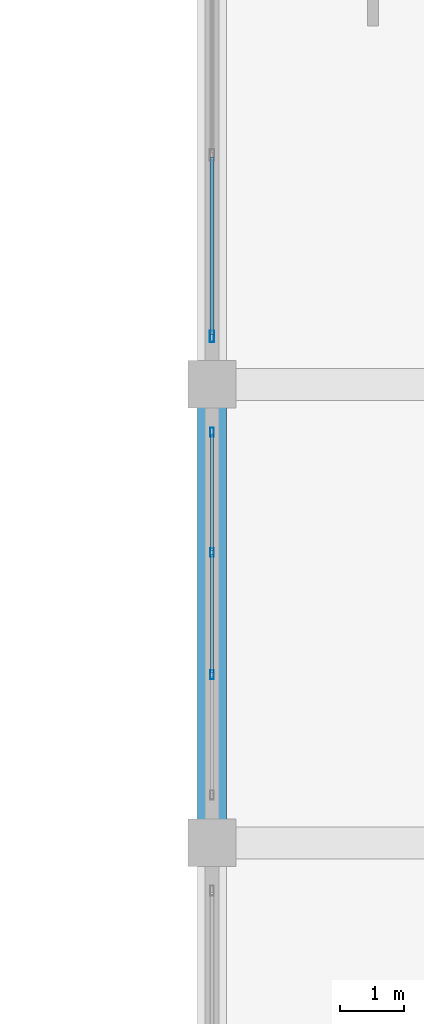
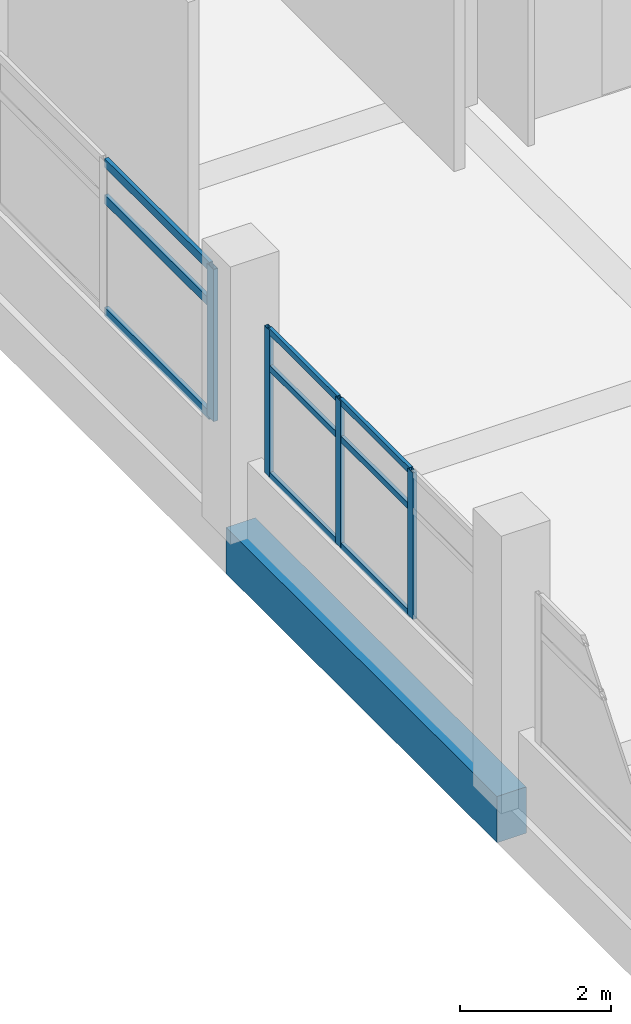
# One storey, part 48 of 141: 13 members, 1 beam, 2 elements without a shape of their own.
"""IFC4 building model written with IfcOpenShell, lengths in metres."""

from ifc_helpers import new_model, si_unit, direction, frame, origin, origin_2d, place, context, subcontext, project, spatial, rectangle, hollow_rectangle, extrude, material, layer, layer_set, material_profile, profile_set, type_object, element, aggregate, save


model = new_model("IFC4")

# Units and contexts
model_context = context("Model", 3, precision=1e-05, world=origin(), true_north=direction((0.0, 1.0)))
body_context = subcontext(model_context, "Body", "Model", "MODEL_VIEW")
ifc_project = project(units=[si_unit("LENGTHUNIT", "METRE"), si_unit("AREAUNIT", "SQUARE_METRE"), si_unit("VOLUMEUNIT", "CUBIC_METRE"), si_unit("PLANEANGLEUNIT", "RADIAN"), si_unit("MASSUNIT", "GRAM", prefix="KILO")], contexts=[model_context])

# Site, building, storey
site_placement = place(None, origin())
site = spatial("IfcSite", under=ifc_project, at=site_placement, CompositionType="ELEMENT")
building_placement = place(site_placement, origin())
building = spatial("IfcBuilding", under=site, at=building_placement, Name="Seraya Terrace Polytechnic", CompositionType="ELEMENT")
storey_placement = place(building_placement, frame((0.0, 0.0, 14.39990234375)))
storey = spatial("IfcBuildingStorey", under=building, at=storey_placement, Name="L03", CompositionType="ELEMENT", Elevation=14.39990234375)

# Beam
ifc_material_1 = material(Name="Concrete C40/50", Category="concrete")
ifc_material_profile_1 = material_profile(ifc_material_1, rectangle(XDim=0.449951171875, YDim=0.75, at=origin_2d()), Name="RC 450x750")
ifc_profile_set_1 = profile_set([ifc_material_profile_1], Name="Concrete C40/50")
beam_type = type_object("IfcBeamType", Name="BM-08", PredefinedType="BEAM", material=ifc_profile_set_1)
beam_placement = place(storey_placement, frame((79.199951171875, 43.199951171875, -0.375), z_axis=(0.0, 1.0, 0.0), x_axis=(-1.0, 0.0, 0.0)))
element("IfcBeam", 1, at=beam_placement, inside=storey, type_object=beam_type, Name="Beam BM-08 L03 Y (79.2, 43.2..50.4)", PredefinedType="BEAM", context=body_context, shape_type="SweptSolid", body=[
    extrude(rectangle(XDim=0.449951171875, YDim=0.75, at=origin_2d()), origin(), (0.0, 0.0, 1.0), 7.199951171875),
])

# Curtain wall, member
ifc_material_2 = material(Name="Anodised aluminium EN AW-6063 T6", Category="aluminium")
ifc_layer_1 = layer(ifc_material_2, 0.179931640625, Name="CW-31")
ifc_layer_set_1 = layer_set([ifc_layer_1], Name="Anodised aluminium EN AW-6063 T6")
curtain_wall_type_1 = type_object("IfcCurtainWallType", Name="CW-31", PredefinedType="NOTDEFINED", material=ifc_layer_set_1)
curtain_wall_1_placement = place(storey_placement, origin())
curtain_wall_1 = element("IfcCurtainWall", 2, at=curtain_wall_1_placement, inside=storey, type_object=curtain_wall_type_1, Name="Unitised curtain wall CW-31 (CW-L03-139)", PredefinedType="NOTDEFINED")
ifc_material_profile_2 = material_profile(ifc_material_2, hollow_rectangle(XDim=0.06494140625, YDim=0.179931640625, WallThickness=0.00390625, at=origin_2d()), Name="RHS 180x65x4.0")
ifc_profile_set_2 = profile_set([ifc_material_profile_2], Name="Anodised aluminium EN AW-6063 T6")
member_type_1 = type_object("IfcMemberType", Name="CWM-01", PredefinedType="MULLION", material=ifc_profile_set_2)
member_1_placement = place(storey_placement, frame((79.199951171875, 51.152587890625, 1.239990234375), z_axis=(0.0, 0.0, 1.0), x_axis=(-1.0, 0.0, 0.0)))
member_1 = element("IfcMember", 3, at=member_1_placement, type_object=member_type_1, Name="CW-31 mullion 1", PredefinedType="MULLION", context=body_context, shape_type="SweptSolid", body=[
    extrude(hollow_rectangle(XDim=0.06494140625, YDim=0.179931640625, WallThickness=0.00390625, at=origin_2d()), origin(), (0.0, 0.0, 1.0), 2.47021484375),
])

# Curtain wall, members
ifc_layer_2 = layer(ifc_material_2, 0.179931640625, Name="CW-30")
ifc_layer_set_2 = layer_set([ifc_layer_2], Name="Anodised aluminium EN AW-6063 T6")
curtain_wall_type_2 = type_object("IfcCurtainWallType", Name="CW-30", PredefinedType="NOTDEFINED", material=ifc_layer_set_2)
curtain_wall_2_placement = place(storey_placement, origin())
curtain_wall_2 = element("IfcCurtainWall", 4, at=curtain_wall_2_placement, inside=storey, type_object=curtain_wall_type_2, Name="Unitised curtain wall CW-30 (CW-L03-138)", PredefinedType="NOTDEFINED")
ifc_material_profile_3 = material_profile(ifc_material_2, hollow_rectangle(XDim=0.06005859375, YDim=0.139892578125, WallThickness=0.00341796875, at=origin_2d()), Name="RHS 140x60x3.5")
ifc_profile_set_3 = profile_set([ifc_material_profile_3], Name="Anodised aluminium EN AW-6063 T6")
member_type_2 = type_object("IfcMemberType", Name="CWM-03", PredefinedType="MULLION", material=ifc_profile_set_3)
member_2_placement = place(storey_placement, frame((79.199951171875, 45.840087890625, 1.239990234375), z_axis=(0.0, 0.0, 1.0), x_axis=(-1.0, 0.0, 0.0)))
member_2 = element("IfcMember", 5, at=member_2_placement, type_object=member_type_2, Name="CW-30 mullion 2", PredefinedType="MULLION", context=body_context, shape_type="SweptSolid", body=[
    extrude(hollow_rectangle(XDim=0.06005859375, YDim=0.139892578125, WallThickness=0.00341796875, at=origin_2d()), origin(), (0.0, 0.0, 1.0), 2.380126953125),
])
member_3_placement = place(storey_placement, frame((79.199951171875, 47.760009765625, 1.239990234375), z_axis=(0.0, 0.0, 1.0), x_axis=(-1.0, 0.0, 0.0)))
member_3 = element("IfcMember", 6, at=member_3_placement, type_object=member_type_2, Name="CW-30 mullion 3", PredefinedType="MULLION", context=body_context, shape_type="SweptSolid", body=[
    extrude(hollow_rectangle(XDim=0.06005859375, YDim=0.139892578125, WallThickness=0.00341796875, at=origin_2d()), origin(), (0.0, 0.0, 1.0), 2.380126953125),
])
member_4_placement = place(storey_placement, frame((79.199951171875, 49.64990234375, 1.239990234375), z_axis=(0.0, 0.0, 1.0), x_axis=(-1.0, 0.0, 0.0)))
member_4 = element("IfcMember", 7, at=member_4_placement, type_object=member_type_2, Name="CW-30 mullion 4", PredefinedType="MULLION", context=body_context, shape_type="SweptSolid", body=[
    extrude(hollow_rectangle(XDim=0.06005859375, YDim=0.139892578125, WallThickness=0.00341796875, at=origin_2d()), origin(), (0.0, 0.0, 1.0), 2.380126953125),
])

# Member
ifc_material_profile_4 = material_profile(ifc_material_2, hollow_rectangle(XDim=0.06005859375, YDim=0.139892578125, WallThickness=0.00341796875, at=origin_2d()), Name="RHS 140x60x3.5")
ifc_profile_set_4 = profile_set([ifc_material_profile_4], Name="Anodised aluminium EN AW-6063 T6")
member_type_3 = type_object("IfcMemberType", Name="CWT-01", PredefinedType="USERDEFINED", material=ifc_profile_set_4)
member_5_placement = place(storey_placement, frame((79.199951171875, 51.18505859375, 1.27001953125), z_axis=(0.0, 1.0, 0.0), x_axis=(-1.0, 0.0, 0.0)))
member_5 = element("IfcMember", 8, at=member_5_placement, type_object=member_type_3, Name="CW-31 transom 1.1", ObjectType="TRANSOM", PredefinedType="USERDEFINED", context=body_context, shape_type="SweptSolid", body=[
    extrude(hollow_rectangle(XDim=0.06005859375, YDim=0.139892578125, WallThickness=0.00341796875, at=origin_2d()), origin(), (0.0, 0.0, 1.0), 2.782470703125),
])

member_6_placement = place(storey_placement, frame((79.199951171875, 51.18505859375, 3.090087890625), z_axis=(0.0, 1.0, 0.0), x_axis=(-1.0, 0.0, 0.0)))
member_6 = element("IfcMember", 9, at=member_6_placement, type_object=member_type_3, Name="CW-31 transom 1.2", ObjectType="TRANSOM", PredefinedType="USERDEFINED", context=body_context, shape_type="SweptSolid", body=[
    extrude(hollow_rectangle(XDim=0.06005859375, YDim=0.139892578125, WallThickness=0.00341796875, at=origin_2d()), origin(), (0.0, 0.0, 1.0), 2.782470703125),
])

member_7_placement = place(storey_placement, frame((79.199951171875, 51.18505859375, 3.68017578125), z_axis=(0.0, 1.0, 0.0), x_axis=(-1.0, 0.0, 0.0)))
member_7 = element("IfcMember", 10, at=member_7_placement, type_object=member_type_3, Name="CW-31 transom 1.3", ObjectType="TRANSOM", PredefinedType="USERDEFINED", context=body_context, shape_type="SweptSolid", body=[
    extrude(hollow_rectangle(XDim=0.06005859375, YDim=0.139892578125, WallThickness=0.00341796875, at=origin_2d()), origin(), (0.0, 0.0, 1.0), 2.782470703125),
])

aggregate(curtain_wall_1, [member_1, member_5, member_6, member_7])

ifc_material_profile_5 = material_profile(ifc_material_2, hollow_rectangle(XDim=0.054931640625, YDim=0.10009765625, WallThickness=0.0029296875, at=origin_2d()), Name="RHS 100x55x3.0")
ifc_profile_set_5 = profile_set([ifc_material_profile_5], Name="Anodised aluminium EN AW-6063 T6")
member_type_4 = type_object("IfcMemberType", Name="CWT-03", PredefinedType="USERDEFINED", material=ifc_profile_set_5)
member_8_placement = place(storey_placement, frame((79.199951171875, 45.8701171875, 1.267578125), z_axis=(0.0, 1.0, 0.0), x_axis=(-1.0, 0.0, 0.0)))
member_8 = element("IfcMember", 11, at=member_8_placement, type_object=member_type_4, Name="CW-30 transom 2.1", ObjectType="TRANSOM", PredefinedType="USERDEFINED", context=body_context, shape_type="SweptSolid", body=[
    extrude(hollow_rectangle(XDim=0.054931640625, YDim=0.10009765625, WallThickness=0.0029296875, at=origin_2d()), origin(), (0.0, 0.0, 1.0), 1.85986328125),
])

member_9_placement = place(storey_placement, frame((79.199951171875, 45.8701171875, 3.0), z_axis=(0.0, 1.0, 0.0), x_axis=(-1.0, 0.0, 0.0)))
member_9 = element("IfcMember", 12, at=member_9_placement, type_object=member_type_4, Name="CW-30 transom 2.2", ObjectType="TRANSOM", PredefinedType="USERDEFINED", context=body_context, shape_type="SweptSolid", body=[
    extrude(hollow_rectangle(XDim=0.054931640625, YDim=0.10009765625, WallThickness=0.0029296875, at=origin_2d()), origin(), (0.0, 0.0, 1.0), 1.85986328125),
])

member_10_placement = place(storey_placement, frame((79.199951171875, 45.8701171875, 3.592529296875), z_axis=(0.0, 1.0, 0.0), x_axis=(-1.0, 0.0, 0.0)))
member_10 = element("IfcMember", 13, at=member_10_placement, type_object=member_type_4, Name="CW-30 transom 2.3", ObjectType="TRANSOM", PredefinedType="USERDEFINED", context=body_context, shape_type="SweptSolid", body=[
    extrude(hollow_rectangle(XDim=0.054931640625, YDim=0.10009765625, WallThickness=0.0029296875, at=origin_2d()), origin(), (0.0, 0.0, 1.0), 1.85986328125),
])

member_11_placement = place(storey_placement, frame((79.199951171875, 47.7900390625, 1.267578125), z_axis=(0.0, 1.0, 0.0), x_axis=(-1.0, 0.0, 0.0)))
member_11 = element("IfcMember", 14, at=member_11_placement, type_object=member_type_4, Name="CW-30 transom 3.1", ObjectType="TRANSOM", PredefinedType="USERDEFINED", context=body_context, shape_type="SweptSolid", body=[
    extrude(hollow_rectangle(XDim=0.054931640625, YDim=0.10009765625, WallThickness=0.0029296875, at=origin_2d()), origin(), (0.0, 0.0, 1.0), 1.830078125),
])

member_12_placement = place(storey_placement, frame((79.199951171875, 47.7900390625, 3.0), z_axis=(0.0, 1.0, 0.0), x_axis=(-1.0, 0.0, 0.0)))
member_12 = element("IfcMember", 15, at=member_12_placement, type_object=member_type_4, Name="CW-30 transom 3.2", ObjectType="TRANSOM", PredefinedType="USERDEFINED", context=body_context, shape_type="SweptSolid", body=[
    extrude(hollow_rectangle(XDim=0.054931640625, YDim=0.10009765625, WallThickness=0.0029296875, at=origin_2d()), origin(), (0.0, 0.0, 1.0), 1.830078125),
])

member_13_placement = place(storey_placement, frame((79.199951171875, 47.7900390625, 3.592529296875), z_axis=(0.0, 1.0, 0.0), x_axis=(-1.0, 0.0, 0.0)))
member_13 = element("IfcMember", 16, at=member_13_placement, type_object=member_type_4, Name="CW-30 transom 3.3", ObjectType="TRANSOM", PredefinedType="USERDEFINED", context=body_context, shape_type="SweptSolid", body=[
    extrude(hollow_rectangle(XDim=0.054931640625, YDim=0.10009765625, WallThickness=0.0029296875, at=origin_2d()), origin(), (0.0, 0.0, 1.0), 1.830078125),
])

aggregate(curtain_wall_2, [member_2, member_3, member_4, member_8, member_9, member_10, member_11, member_12, member_13])

save(model, "model.ifc")
